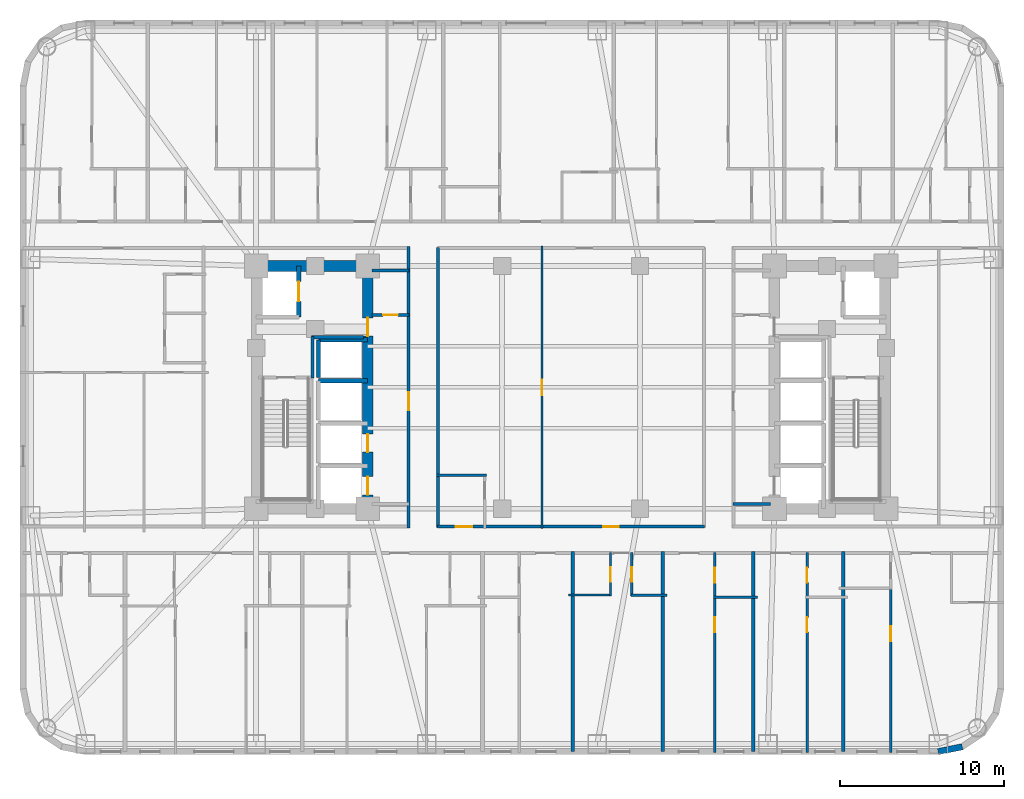
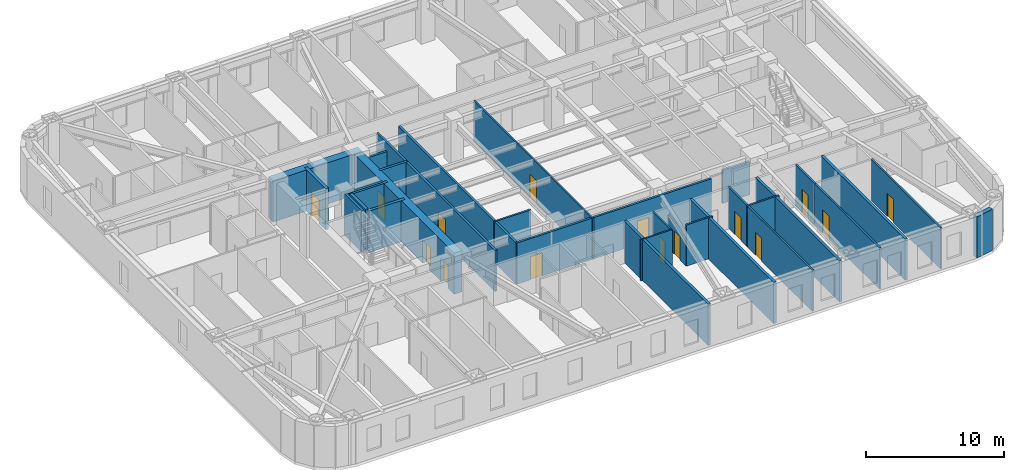
# One storey, part 5 of 11: 31 walls, 16 doors, 16 openings.
"""IFC4 building model written with IfcOpenShell, lengths in metres."""

from ifc_helpers import new_model, si_unit, direction, frame, frame_2d, origin, place, context, subcontext, project, spatial, rectangle, extrude, material, layer, layer_set, type_object, element, fill, save


model = new_model("IFC4")

# Units and contexts
model_context = context("Model", 3, precision=1e-05, world=origin(), true_north=direction((0.0, 1.0)))
body_context = subcontext(model_context, "Body", "Model", "MODEL_VIEW")
ifc_project = project(units=[si_unit("LENGTHUNIT", "METRE"), si_unit("AREAUNIT", "SQUARE_METRE"), si_unit("VOLUMEUNIT", "CUBIC_METRE"), si_unit("PLANEANGLEUNIT", "RADIAN"), si_unit("MASSUNIT", "GRAM", prefix="KILO")], contexts=[model_context])

# Site, building, storey
site_placement = place(None, origin())
site = spatial("IfcSite", under=ifc_project, at=site_placement, CompositionType="ELEMENT")
building_placement = place(site_placement, origin())
building = spatial("IfcBuilding", under=site, at=building_placement, Name="Voryun Gate Residences", CompositionType="ELEMENT")
storey_placement = place(building_placement, frame((0.0, 0.0, 45.5)))
storey = spatial("IfcBuildingStorey", under=building, at=storey_placement, Name="L10", CompositionType="ELEMENT", Elevation=45.5)

# Wall
ifc_material_1 = material(Name="Concrete C60/75", Category="concrete")
ifc_layer_1 = layer(ifc_material_1, 0.64990234375, Name="CW_CORE_650")
ifc_layer_set_1 = layer_set([ifc_layer_1], Name="Concrete C60/75")
wall_type_1 = type_object("IfcWallType", Name="CW_CORE_650", PredefinedType="SHEAR", material=ifc_layer_set_1)
wall_1_placement = place(storey_placement, frame((-19.52490234375, 7.39990234375, 0.0), z_axis=(0.0, 0.0, 1.0), x_axis=(1.0, 0.0, 0.0)))
element("IfcWall", 1, at=wall_1_placement, inside=storey, type_object=wall_type_1, Name="L10 Core shear wall CW-L10-WN", PredefinedType="SHEAR", context=body_context, shape_type="SweptSolid", body=[
    extrude(rectangle(XDim=7.449951171875, YDim=0.64990234375, at=frame_2d((3.72509765625, 0.0))), origin(), (0.0, 0.0, 1.0), 3.64990234375),
])

# Wall, openings, doors
wall_2_placement = place(storey_placement, frame((-12.39990234375, -7.39990234375, 0.0), z_axis=(0.0, 0.0, 1.0), x_axis=(0.0, 1.0, 0.0)))
wall_2 = element("IfcWall", 2, at=wall_2_placement, inside=storey, type_object=wall_type_1, Name="L10 Core shear wall CW-L10-WE", PredefinedType="SHEAR", context=body_context, shape_type="SweptSolid", body=[
    extrude(rectangle(XDim=14.7998046875, YDim=0.64990234375, at=frame_2d((7.39990234375, 0.0))), origin(), (0.0, 0.0, 1.0), 3.64990234375),
])
opening_1_placement = place(wall_2_placement, frame((0.85009765625, 0.0, 0.0)))
opening_1 = element("IfcOpeningElement", 3, at=opening_1_placement, cuts=wall_2, Name="Opening LD2", PredefinedType="OPENING", context=body_context, shape_type="SweptSolid", body=[
    extrude(rectangle(XDim=1.10009765625, YDim=2.050048828125, at=frame_2d((0.550048828125, 1.02490234375))), frame((0.0, 0.3349609375, 0.0), z_axis=(0.0, -1.0, 0.0), x_axis=(1.0, 0.0, 0.0)), (0.0, 0.0, 1.0), 0.669921875),
])
opening_2_placement = place(wall_2_placement, frame((3.449951171875, 0.0, 0.0)))
opening_2 = element("IfcOpeningElement", 4, at=opening_2_placement, cuts=wall_2, Name="Opening LD2", PredefinedType="OPENING", context=body_context, shape_type="SweptSolid", body=[
    extrude(rectangle(XDim=1.10009765625, YDim=2.050048828125, at=frame_2d((0.550048828125, 1.02490234375))), frame((0.0, 0.3349609375, 0.0), z_axis=(0.0, -1.0, 0.0), x_axis=(1.0, 0.0, 0.0)), (0.0, 0.0, 1.0), 0.669921875),
])
opening_3_placement = place(wall_2_placement, frame((10.530029296875, 0.0, 0.0)))
opening_3 = element("IfcOpeningElement", 5, at=opening_3_placement, cuts=wall_2, Name="Opening D-FD60-2", PredefinedType="OPENING", context=body_context, shape_type="SweptSolid", body=[
    extrude(rectangle(XDim=1.10009765625, YDim=2.050048828125, at=frame_2d((0.550048828125, 1.02490234375))), frame((0.0, 0.3349609375, 0.0), z_axis=(0.0, -1.0, 0.0), x_axis=(1.0, 0.0, 0.0)), (0.0, 0.0, 1.0), 0.669921875),
])
ifc_material_2 = material(Name="Painted steel fire door", Category="steel")
door_type_1 = type_object("IfcDoorType", Name="DR_FD60_FFLOB_1100", OperationType="NOTDEFINED", PredefinedType="DOOR", material=ifc_material_2)
door_1_placement = place(opening_3_placement, origin())
door_1 = element("IfcDoor", 6, at=door_1_placement, inside=storey, type_object=door_type_1, Name="Door DR-L10-CLOB-W", OperationType="SINGLE_SWING_LEFT", OverallHeight=2.050048828125, OverallWidth=1.10009765625, PredefinedType="DOOR", context=body_context, shape_type="SweptSolid", body=[
    extrude(rectangle(XDim=1.10009765625, YDim=2.050048828125, at=frame_2d((0.550048828125, 1.02490234375))), frame((0.0, 0.02490234375, 0.0), z_axis=(0.0, -1.0, 0.0), x_axis=(1.0, 0.0, 0.0)), (0.0, 0.0, 1.0), 0.050048828125),
])
fill(opening_3, door_1)
ifc_material_3 = material(Name="Anodised aluminium", Category="aluminium")
door_type_2 = type_object("IfcDoorType", Name="DR_LD_PASS_1100", OperationType="NOTDEFINED", PredefinedType="DOOR", material=ifc_material_3)
door_2_placement = place(opening_1_placement, origin())
door_2 = element("IfcDoor", 7, at=door_2_placement, inside=storey, type_object=door_type_2, Name="Lift EL-P1 sliding landing door L10", OperationType="SLIDING_TO_LEFT", OverallHeight=2.050048828125, OverallWidth=1.10009765625, PredefinedType="DOOR", context=body_context, shape_type="SweptSolid", body=[
    extrude(rectangle(XDim=1.10009765625, YDim=2.050048828125, at=frame_2d((0.550048828125, 1.02490234375))), frame((0.0, 0.02490234375, 0.0), z_axis=(0.0, -1.0, 0.0), x_axis=(1.0, 0.0, 0.0)), (0.0, 0.0, 1.0), 0.050048828125),
])
fill(opening_1, door_2)
door_3_placement = place(opening_2_placement, origin())
door_3 = element("IfcDoor", 8, at=door_3_placement, inside=storey, type_object=door_type_2, Name="Lift EL-P2 sliding landing door L10", OperationType="SLIDING_TO_LEFT", OverallHeight=2.050048828125, OverallWidth=1.10009765625, PredefinedType="DOOR", context=body_context, shape_type="SweptSolid", body=[
    extrude(rectangle(XDim=1.10009765625, YDim=2.050048828125, at=frame_2d((0.550048828125, 1.02490234375))), frame((0.0, 0.02490234375, 0.0), z_axis=(0.0, -1.0, 0.0), x_axis=(1.0, 0.0, 0.0)), (0.0, 0.0, 1.0), 0.050048828125),
])
fill(opening_2, door_3)

# Walls
ifc_material_4 = material(Name="Gypsum acoustic fireboard")
ifc_layer_2 = layer(ifc_material_4, 0.179931640625, Name="W_CORR_RATED_180")
ifc_layer_set_2 = layer_set([ifc_layer_2], Name="Gypsum acoustic fireboard")
wall_type_2 = type_object("IfcWallType", Name="W_CORR_RATED_180", PredefinedType="PARTITIONING", material=ifc_layer_set_2)
for number, where, z_axis, x_axis, name in (
    (9, (-12.14990234375, 7.1201171875, 0.0), (0.0, 0.0, 1.0), (1.0, 0.0, 0.0), "Partition wall WP-L10-PLBN-W"),
    (10, (9.8798828125, -7.1201171875, 0.0), (0.0, 0.0, 1.0), (1.0, 0.0, 0.0), "Partition wall WP-L10-PLBS-E"),
):
    element("IfcWall", number, at=place(storey_placement, frame(where, z_axis=z_axis, x_axis=x_axis)), inside=storey, type_object=wall_type_2, Name=name, PredefinedType="PARTITIONING", context=body_context, shape_type="SweptSolid", body=[
        extrude(rectangle(XDim=2.27001953125, YDim=0.179931640625, at=frame_2d((1.135009765625, 0.0))), origin(), (0.0, 0.0, 1.0), 2.93994140625),
    ])

# Wall, opening, door
wall_3_placement = place(storey_placement, frame((-9.89990234375, -8.580078125, 0.0), z_axis=(0.0, 0.0, 1.0), x_axis=(0.0, 1.0, 0.0)))
wall_3 = element("IfcWall", 11, at=wall_3_placement, inside=storey, type_object=wall_type_2, Name="Partition wall WP-L10-PLBW-FULL", PredefinedType="PARTITIONING", context=body_context, shape_type="SweptSolid", body=[
    extrude(rectangle(XDim=17.16015625, YDim=0.179931640625, at=frame_2d((8.580078125, 0.0))), origin(), (0.0, 0.0, 1.0), 3.64990234375),
])
opening_4_placement = place(wall_3_placement, frame((7.172119140625, 0.0, 0.0)))
opening_4 = element("IfcOpeningElement", 12, at=opening_4_placement, cuts=wall_3, Name="Opening D-FD60-2", PredefinedType="OPENING", context=body_context, shape_type="SweptSolid", body=[
    extrude(rectangle(XDim=1.10009765625, YDim=2.050048828125, at=frame_2d((0.550048828125, 1.02490234375))), frame((0.0, 0.099853515625, 0.0), z_axis=(0.0, -1.0, 0.0), x_axis=(1.0, 0.0, 0.0)), (0.0, 0.0, 1.0), 0.199951171875),
])
door_4_placement = place(opening_4_placement, origin())
door_4 = element("IfcDoor", 13, at=door_4_placement, inside=storey, type_object=door_type_1, Name="Door DR-L10-PLBW-COR", OperationType="SINGLE_SWING_LEFT", OverallHeight=2.050048828125, OverallWidth=1.10009765625, PredefinedType="DOOR", context=body_context, shape_type="SweptSolid", body=[
    extrude(rectangle(XDim=1.10009765625, YDim=2.050048828125, at=frame_2d((0.550048828125, 1.02490234375))), frame((0.0, 0.02490234375, 0.0), z_axis=(0.0, -1.0, 0.0), x_axis=(1.0, 0.0, 0.0)), (0.0, 0.0, 1.0), 0.050048828125),
])
fill(opening_4, door_4)

# Wall, openings, doors
wall_4_placement = place(storey_placement, frame((-8.14990234375, -8.489990234375, 0.0), z_axis=(0.0, 0.0, 1.0), x_axis=(1.0, 0.0, 0.0)))
wall_4 = element("IfcWall", 14, at=wall_4_placement, inside=storey, type_object=wall_type_2, Name="Partition wall WP-L10-Z1S", PredefinedType="PARTITIONING", context=body_context, shape_type="SweptSolid", body=[
    extrude(rectangle(XDim=16.2998046875, YDim=0.179931640625, at=frame_2d((8.14990234375, 0.0))), origin(), (0.0, 0.0, 1.0), 3.64990234375),
])
opening_5_placement = place(wall_4_placement, frame((1.1298828125, 0.0, 0.0)))
opening_5 = element("IfcOpeningElement", 15, at=opening_5_placement, cuts=wall_4, Name="Opening D-AWC-1", PredefinedType="OPENING", context=body_context, shape_type="SweptSolid", body=[
    extrude(rectangle(XDim=1.0, YDim=2.050048828125, at=frame_2d((0.5, 1.02490234375))), frame((0.0, 0.099853515625, 0.0), z_axis=(0.0, -1.0, 0.0), x_axis=(1.0, 0.0, 0.0)), (0.0, 0.0, 1.0), 0.199951171875),
])
opening_6_placement = place(wall_4_placement, frame((10.1201171875, 0.0, 0.0)))
opening_6 = element("IfcOpeningElement", 16, at=opening_6_placement, cuts=wall_4, Name="Opening D-INT-1", PredefinedType="OPENING", context=body_context, shape_type="SweptSolid", body=[
    extrude(rectangle(XDim=0.949951171875, YDim=2.050048828125, at=frame_2d((0.47509765625, 1.02490234375))), frame((0.0, 0.099853515625, 0.0), z_axis=(0.0, -1.0, 0.0), x_axis=(1.0, 0.0, 0.0)), (0.0, 0.0, 1.0), 0.199951171875),
])
ifc_material_5 = material(Name="Architectural oak veneer")
door_type_3 = type_object("IfcDoorType", Name="DR_ACC_WC_1000", OperationType="NOTDEFINED", PredefinedType="DOOR", material=ifc_material_5)
door_5_placement = place(opening_5_placement, origin())
door_5 = element("IfcDoor", 17, at=door_5_placement, inside=storey, type_object=door_type_3, Name="Door DR-L10-CMWC-D", OperationType="SINGLE_SWING_LEFT", OverallHeight=2.050048828125, OverallWidth=1.0, PredefinedType="DOOR", context=body_context, shape_type="SweptSolid", body=[
    extrude(rectangle(XDim=1.0, YDim=2.050048828125, at=frame_2d((0.5, 1.02490234375))), frame((0.0, 0.02490234375, 0.0), z_axis=(0.0, -1.0, 0.0), x_axis=(1.0, 0.0, 0.0)), (0.0, 0.0, 1.0), 0.050048828125),
])
fill(opening_5, door_5)
ifc_material_6 = material(Name="Architectural oak veneer")
door_type_4 = type_object("IfcDoorType", Name="DR_INT_ROOM_950", OperationType="NOTDEFINED", PredefinedType="DOOR", material=ifc_material_6)
door_6_placement = place(opening_6_placement, origin())
door_6 = element("IfcDoor", 18, at=door_6_placement, inside=storey, type_object=door_type_4, Name="Door DR-L10-CMIDZ1S", OperationType="SINGLE_SWING_RIGHT", OverallHeight=2.050048828125, OverallWidth=0.949951171875, PredefinedType="DOOR", context=body_context, shape_type="SweptSolid", body=[
    extrude(rectangle(XDim=0.949951171875, YDim=2.050048828125, at=frame_2d((0.47509765625, 1.02490234375))), frame((0.0, 0.02490234375, 0.0), z_axis=(0.0, -1.0, 0.0), x_axis=(1.0, 0.0, 0.0)), (0.0, 0.0, 1.0), 0.050048828125),
])
fill(opening_6, door_6)

# Walls
wall_5_placement = place(storey_placement, frame((-8.10009765625, -8.530029296875, 0.0), z_axis=(0.0, 0.0, 1.0), x_axis=(0.0, 1.0, 0.0)))
element("IfcWall", 19, at=wall_5_placement, inside=storey, type_object=wall_type_2, Name="Partition wall WP-L10-Z1W", PredefinedType="PARTITIONING", context=body_context, shape_type="SweptSolid", body=[
    extrude(rectangle(XDim=17.06005859375, YDim=0.179931640625, at=frame_2d((8.530029296875, 0.0))), origin(), (0.0, 0.0, 1.0), 3.64990234375),
])
ifc_material_7 = material(Name="Granite masonry", Category="masonry")
ifc_layer_3 = layer(ifc_material_7, 0.3798828125, Name="W_EXT_GRANITE_380")
ifc_layer_set_3 = layer_set([ifc_layer_3], Name="Granite masonry")
wall_type_3 = type_object("IfcWallType", Name="W_EXT_GRANITE_380", PredefinedType="ELEMENTEDWALL", material=ifc_layer_set_3)
wall_6_placement = place(storey_placement, frame((23.856689453125, -21.91650390625, 0.0), z_axis=(0.0, 0.0, 1.0), x_axis=(-0.980786132421, -0.195086038585, 0.0)))
element("IfcWall", 20, at=wall_6_placement, inside=storey, type_object=wall_type_3, Name="Exterior wall WEXT-L10-20", PredefinedType="ELEMENTEDWALL", context=body_context, shape_type="SweptSolid", body=[
    extrude(rectangle(XDim=1.504150390625, YDim=0.3798828125, at=frame_2d((0.751953125, 0.0))), origin(), (0.0, 0.0, 1.0), 3.64990234375),
])
ifc_material_8 = material(Name="Concrete C40/50", Category="concrete")
ifc_layer_4 = layer(ifc_material_8, 0.199951171875, Name="W_FF_LOBBY_200")
ifc_layer_set_4 = layer_set([ifc_layer_4], Name="Concrete C40/50")
wall_type_4 = type_object("IfcWallType", Name="W_FF_LOBBY_200", PredefinedType="PARTITIONING", material=ifc_layer_set_4)
wall_7_placement = place(storey_placement, frame((-15.760009765625, 0.580078125, 0.0), z_axis=(0.0, 0.0, 1.0), x_axis=(0.0, 1.0, 0.0)))
element("IfcWall", 21, at=wall_7_placement, inside=storey, type_object=wall_type_4, Name="Partition wall WP-L10-FFP0-W", PredefinedType="PARTITIONING", context=body_context, shape_type="SweptSolid", body=[
    extrude(rectangle(XDim=2.52001953125, YDim=0.199951171875, at=frame_2d((1.260009765625, 0.0))), origin(), (0.0, 0.0, 1.0), 3.64990234375),
])
wall_8_placement = place(storey_placement, frame((-15.820068359375, 3.06005859375, 0.0), z_axis=(0.0, 0.0, 1.0), x_axis=(1.0, 0.0, 0.0)))
element("IfcWall", 22, at=wall_8_placement, inside=storey, type_object=wall_type_4, Name="Partition wall WP-L10-FFPS-W", PredefinedType="PARTITIONING", context=body_context, shape_type="SweptSolid", body=[
    extrude(rectangle(XDim=3.16015625, YDim=0.199951171875, at=frame_2d((1.580078125, 0.0))), origin(), (0.0, 0.0, 1.0), 3.64990234375),
])

# Wall, opening, door
wall_9_placement = place(storey_placement, frame((-12.14990234375, 4.409912109375, 0.0), z_axis=(0.0, 0.0, 1.0), x_axis=(1.0, 0.0, 0.0)))
wall_9 = element("IfcWall", 23, at=wall_9_placement, inside=storey, type_object=wall_type_4, Name="Partition wall WP-L10-CSFLKS-W", PredefinedType="PARTITIONING", context=body_context, shape_type="SweptSolid", body=[
    extrude(rectangle(XDim=2.27001953125, YDim=0.199951171875, at=frame_2d((1.135009765625, 0.0))), origin(), (0.0, 0.0, 1.0), 3.64990234375),
])
opening_7_placement = place(wall_9_placement, frame((0.68505859375, 0.0, 0.0)))
opening_7 = element("IfcOpeningElement", 24, at=opening_7_placement, cuts=wall_9, Name="Opening D-FD60-4", PredefinedType="OPENING", context=body_context, shape_type="SweptSolid", body=[
    extrude(rectangle(XDim=0.89990234375, YDim=2.050048828125, at=frame_2d((0.449951171875, 1.02490234375))), frame((0.0, 0.110107421875, 0.0), z_axis=(0.0, -1.0, 0.0), x_axis=(1.0, 0.0, 0.0)), (0.0, 0.0, 1.0), 0.219970703125),
])
ifc_material_9 = material(Name="Painted steel fire door", Category="steel")
door_type_5 = type_object("IfcDoorType", Name="DR_FD60_RISER_900", OperationType="NOTDEFINED", PredefinedType="DOOR", material=ifc_material_9)
door_7_placement = place(opening_7_placement, origin())
door_7 = element("IfcDoor", 25, at=door_7_placement, inside=storey, type_object=door_type_5, Name="Door DR-L10-CSFLK-W", OperationType="SINGLE_SWING_LEFT", OverallHeight=2.050048828125, OverallWidth=0.89990234375, PredefinedType="DOOR", context=body_context, shape_type="SweptSolid", body=[
    extrude(rectangle(XDim=0.89990234375, YDim=2.050048828125, at=frame_2d((0.449951171875, 1.02490234375))), frame((0.0, 0.02490234375, 0.0), z_axis=(0.0, -1.0, 0.0), x_axis=(1.0, 0.0, 0.0)), (0.0, 0.0, 1.0), 0.050048828125),
])
fill(opening_7, door_7)

# Walls
ifc_material_10 = material(Name="Concrete C40/50", Category="concrete")
ifc_layer_5 = layer(ifc_material_10, 0.219970703125, Name="W_PARTY_ACOUSTIC_220")
ifc_layer_set_5 = layer_set([ifc_layer_5], Name="Concrete C40/50")
wall_type_5 = type_object("IfcWallType", Name="W_PARTY_ACOUSTIC_220", PredefinedType="PARTITIONING", material=ifc_layer_set_5)
for number, where, z_axis, x_axis, name in (
    (26, (0.10009765625, -22.2099609375, 0.0), (0.0, 0.0, 1.0), (0.0, 1.0, 0.0), "Partition wall WP-L10-SPTY-4"),
    (27, (5.60009765625, -22.2099609375, 0.0), (0.0, 0.0, 1.0), (0.0, 1.0, 0.0), "Partition wall WP-L10-SPTY-5"),
    (28, (11.10009765625, -22.2099609375, 0.0), (0.0, 0.0, 1.0), (0.0, 1.0, 0.0), "Partition wall WP-L10-SPTY-6"),
    (29, (16.60009765625, -22.2099609375, 0.0), (0.0, 0.0, 1.0), (0.0, 1.0, 0.0), "Partition wall WP-L10-SPTY-7"),
):
    element("IfcWall", number, at=place(storey_placement, frame(where, z_axis=z_axis, x_axis=x_axis)), inside=storey, type_object=wall_type_5, Name=name, PredefinedType="PARTITIONING", context=body_context, shape_type="SweptSolid", body=[
        extrude(rectangle(XDim=12.18994140625, YDim=0.219970703125, at=frame_2d((6.094970703125, 0.0))), origin(), (0.0, 0.0, 1.0), 3.64990234375),
    ])

# Wall, opening, door
ifc_material_11 = material(Name="Concrete C50/60", Category="concrete")
ifc_layer_6 = layer(ifc_material_11, 0.25, Name="W_SHAFT_RC250")
ifc_layer_set_6 = layer_set([ifc_layer_6], Name="Concrete C50/60")
wall_type_6 = type_object("IfcWallType", Name="W_SHAFT_RC250", PredefinedType="SOLIDWALL", material=ifc_layer_set_6)
wall_10_placement = place(storey_placement, frame((-16.60009765625, 4.300048828125, 0.0), z_axis=(0.0, 0.0, 1.0), x_axis=(0.0, 1.0, 0.0)))
wall_10 = element("IfcWall", 30, at=wall_10_placement, inside=storey, type_object=wall_type_6, Name="Lift shaft wall WSH-L10-EL-FF-W1-E", PredefinedType="SOLIDWALL", context=body_context, shape_type="SweptSolid", body=[
    extrude(rectangle(XDim=3.099853515625, YDim=0.25, at=frame_2d((1.5498046875, 0.0))), origin(), (0.0, 0.0, 1.0), 3.64990234375),
])
opening_8_placement = place(wall_10_placement, frame((0.949951171875, 0.0, 0.0)))
opening_8 = element("IfcOpeningElement", 31, at=opening_8_placement, cuts=wall_10, Name="Opening LD1", PredefinedType="OPENING", context=body_context, shape_type="SweptSolid", body=[
    extrude(rectangle(XDim=1.199951171875, YDim=2.050048828125, at=frame_2d((0.60009765625, 1.02490234375))), frame((0.0, 0.135009765625, 0.0), z_axis=(0.0, -1.0, 0.0), x_axis=(1.0, 0.0, 0.0)), (0.0, 0.0, 1.0), 0.27001953125),
])
ifc_material_12 = material(Name="Anodised aluminium", Category="aluminium")
door_type_6 = type_object("IfcDoorType", Name="DR_LD_FF_1200", OperationType="NOTDEFINED", PredefinedType="DOOR", material=ifc_material_12)
door_8_placement = place(opening_8_placement, origin())
door_8 = element("IfcDoor", 32, at=door_8_placement, inside=storey, type_object=door_type_6, Name="Lift EL-FF-W1 sliding landing door L10", OperationType="SLIDING_TO_LEFT", OverallHeight=2.050048828125, OverallWidth=1.199951171875, PredefinedType="DOOR", context=body_context, shape_type="SweptSolid", body=[
    extrude(rectangle(XDim=1.199951171875, YDim=2.050048828125, at=frame_2d((0.60009765625, 1.02490234375))), frame((0.0, 0.02490234375, 0.0), z_axis=(0.0, -1.0, 0.0), x_axis=(1.0, 0.0, 0.0)), (0.0, 0.0, 1.0), 0.050048828125),
])
fill(opening_8, door_8)

# Walls
for number, where, z_axis, x_axis, name in (
    (33, (-12.39990234375, 0.39990234375, 0.0), (0.0, 0.0, 1.0), (-1.0, 0.0, 0.0), "Lift shaft wall WSH-L10-EL-P4-N"),
    (34, (-12.39990234375, 2.89990234375, 0.0), (0.0, 0.0, 1.0), (-1.0, 0.0, 0.0), "Lift shaft wall WSH-L10-EL-P7-N"),
):
    element("IfcWall", number, at=place(storey_placement, frame(where, z_axis=z_axis, x_axis=x_axis)), inside=storey, type_object=wall_type_6, Name=name, PredefinedType="SOLIDWALL", context=body_context, shape_type="SweptSolid", body=[
        extrude(rectangle(XDim=3.0, YDim=0.25, at=frame_2d((1.5, 0.0))), origin(), (0.0, 0.0, 1.0), 3.64990234375),
    ])
wall_11_placement = place(storey_placement, frame((-15.39990234375, 2.89990234375, 0.0), z_axis=(0.0, 0.0, 1.0), x_axis=(0.0, -1.0, 0.0)))
element("IfcWall", 35, at=wall_11_placement, inside=storey, type_object=wall_type_6, Name="Lift shaft wall WSH-L10-EL-P7-W", PredefinedType="SOLIDWALL", context=body_context, shape_type="SweptSolid", body=[
    extrude(rectangle(XDim=2.2998046875, YDim=0.25, at=frame_2d((1.14990234375, 0.0))), origin(), (0.0, 0.0, 1.0), 3.64990234375),
])

# Wall, opening, door
ifc_material_13 = material(Name="Gypsum acoustic partition")
ifc_layer_7 = layer(ifc_material_13, 0.125, Name="W_UNIT_PART_125")
ifc_layer_set_7 = layer_set([ifc_layer_7], Name="Gypsum acoustic partition")
wall_type_7 = type_object("IfcWallType", Name="W_UNIT_PART_125", PredefinedType="PARTITIONING", material=ifc_layer_set_7)
wall_12_placement = place(storey_placement, frame((-1.77294921875, -8.6201171875, 0.0), z_axis=(0.0, 0.0, 1.0), x_axis=(0.0, 1.0, 0.0)))
wall_12 = element("IfcWall", 36, at=wall_12_placement, inside=storey, type_object=wall_type_7, Name="Partition wall WP-L10-MIDX-0", PredefinedType="PARTITIONING", context=body_context, shape_type="SweptSolid", body=[
    extrude(rectangle(XDim=17.240234375, YDim=0.125, at=frame_2d((8.6201171875, 0.0))), origin(), (0.0, 0.0, 1.0), 3.64990234375),
])
opening_9_placement = place(wall_12_placement, frame((8.14501953125, 0.0, 0.0)))
opening_9 = element("IfcOpeningElement", 37, at=opening_9_placement, cuts=wall_12, Name="Opening D-INT-1", PredefinedType="OPENING", context=body_context, shape_type="SweptSolid", body=[
    extrude(rectangle(XDim=0.949951171875, YDim=2.050048828125, at=frame_2d((0.47509765625, 1.02490234375))), frame((0.0, 0.072509765625, 0.0), z_axis=(0.0, -1.0, 0.0), x_axis=(1.0, 0.0, 0.0)), (0.0, 0.0, 1.0), 0.14501953125),
])
door_9_placement = place(opening_9_placement, origin())
door_9 = element("IfcDoor", 38, at=door_9_placement, inside=storey, type_object=door_type_4, Name="Door DR-L10-MIDX-0", OperationType="SINGLE_SWING_LEFT", OverallHeight=2.050048828125, OverallWidth=0.949951171875, PredefinedType="DOOR", context=body_context, shape_type="SweptSolid", body=[
    extrude(rectangle(XDim=0.949951171875, YDim=2.050048828125, at=frame_2d((0.47509765625, 1.02490234375))), frame((0.0, 0.02490234375, 0.0), z_axis=(0.0, -1.0, 0.0), x_axis=(1.0, 0.0, 0.0)), (0.0, 0.0, 1.0), 0.050048828125),
])
fill(opening_9, door_9)

wall_13_placement = place(storey_placement, frame((2.409912109375, -12.72998046875, 0.0), z_axis=(0.0, 0.0, 1.0), x_axis=(0.0, 1.0, 0.0)))
wall_13 = element("IfcWall", 39, at=wall_13_placement, inside=storey, type_object=wall_type_7, Name="Partition wall WP-L10-S5-CVK", PredefinedType="PARTITIONING", context=body_context, shape_type="SweptSolid", body=[
    extrude(rectangle(XDim=2.64990234375, YDim=0.125, at=frame_2d((1.324951171875, 0.0))), origin(), (0.0, 0.0, 1.0), 3.64990234375),
])
opening_10_placement = place(wall_13_placement, frame((0.875, 0.0, 0.0)))
opening_10 = element("IfcOpeningElement", 40, at=opening_10_placement, cuts=wall_13, Name="Opening D-INT-2", PredefinedType="OPENING", context=body_context, shape_type="SweptSolid", body=[
    extrude(rectangle(XDim=0.89990234375, YDim=2.050048828125, at=frame_2d((0.449951171875, 1.02490234375))), frame((0.0, 0.072509765625, 0.0), z_axis=(0.0, -1.0, 0.0), x_axis=(1.0, 0.0, 0.0)), (0.0, 0.0, 1.0), 0.14501953125),
])
ifc_material_14 = material(Name="Architectural oak veneer")
door_type_7 = type_object("IfcDoorType", Name="DR_INT_BATH_900", OperationType="NOTDEFINED", PredefinedType="DOOR", material=ifc_material_14)
door_10_placement = place(opening_10_placement, origin())
door_10 = element("IfcDoor", 41, at=door_10_placement, inside=storey, type_object=door_type_7, Name="Door DR-L10-S5-DK", OperationType="SINGLE_SWING_LEFT", OverallHeight=2.050048828125, OverallWidth=0.89990234375, PredefinedType="DOOR", context=body_context, shape_type="SweptSolid", body=[
    extrude(rectangle(XDim=0.89990234375, YDim=2.050048828125, at=frame_2d((0.449951171875, 1.02490234375))), frame((0.0, 0.02490234375, 0.0), z_axis=(0.0, -1.0, 0.0), x_axis=(1.0, 0.0, 0.0)), (0.0, 0.0, 1.0), 0.050048828125),
])
fill(opening_10, door_10)

# Walls
wall_14_placement = place(storey_placement, frame((-0.159912109375, -12.669921875, 0.0), z_axis=(0.0, 0.0, 1.0), x_axis=(1.0, 0.0, 0.0)))
element("IfcWall", 42, at=wall_14_placement, inside=storey, type_object=wall_type_7, Name="Partition wall WP-L10-S5-CHK", PredefinedType="PARTITIONING", context=body_context, shape_type="SweptSolid", body=[
    extrude(rectangle(XDim=2.6298828125, YDim=0.125, at=frame_2d((1.31494140625, 0.0))), origin(), (0.0, 0.0, 1.0), 3.64990234375),
])
ifc_material_15 = material(Name="Gypsum moisture-resistant partition")
ifc_layer_8 = layer(ifc_material_15, 0.14990234375, Name="W_WET_PLUMB_150")
ifc_layer_set_8 = layer_set([ifc_layer_8], Name="Gypsum moisture-resistant partition")
wall_type_8 = type_object("IfcWallType", Name="W_WET_PLUMB_150", PredefinedType="PLUMBINGWALL", material=ifc_layer_set_8)
wall_15_placement = place(storey_placement, frame((-8.2099609375, -5.3701171875, 0.0), z_axis=(0.0, 0.0, 1.0), x_axis=(1.0, 0.0, 0.0)))
element("IfcWall", 43, at=wall_15_placement, inside=storey, type_object=wall_type_8, Name="Partition wall WP-L10-CMWCY", PredefinedType="PLUMBINGWALL", context=body_context, shape_type="SweptSolid", body=[
    extrude(rectangle(XDim=3.050048828125, YDim=0.14990234375, at=frame_2d((1.52490234375, 0.0))), origin(), (0.0, 0.0, 1.0), 3.64990234375),
])

# Wall, opening, door
wall_16_placement = place(storey_placement, frame((3.7109375, -12.72998046875, 0.0), z_axis=(0.0, 0.0, 1.0), x_axis=(0.0, 1.0, 0.0)))
wall_16 = element("IfcWall", 44, at=wall_16_placement, inside=storey, type_object=wall_type_8, Name="Partition wall WP-L10-S5-CVB", PredefinedType="PLUMBINGWALL", context=body_context, shape_type="SweptSolid", body=[
    extrude(rectangle(XDim=2.64990234375, YDim=0.14990234375, at=frame_2d((1.324951171875, 0.0))), origin(), (0.0, 0.0, 1.0), 2.93994140625),
])
opening_11_placement = place(wall_16_placement, frame((0.875, 0.0, 0.0)))
opening_11 = element("IfcOpeningElement", 45, at=opening_11_placement, cuts=wall_16, Name="Opening D-INT-2", PredefinedType="OPENING", context=body_context, shape_type="SweptSolid", body=[
    extrude(rectangle(XDim=0.89990234375, YDim=2.050048828125, at=frame_2d((0.449951171875, 1.02490234375))), frame((0.0, 0.0849609375, 0.0), z_axis=(0.0, -1.0, 0.0), x_axis=(1.0, 0.0, 0.0)), (0.0, 0.0, 1.0), 0.169921875),
])
door_11_placement = place(opening_11_placement, origin())
door_11 = element("IfcDoor", 46, at=door_11_placement, inside=storey, type_object=door_type_7, Name="Door DR-L10-S5-DB", OperationType="SINGLE_SWING_RIGHT", OverallHeight=2.050048828125, OverallWidth=0.89990234375, PredefinedType="DOOR", context=body_context, shape_type="SweptSolid", body=[
    extrude(rectangle(XDim=0.89990234375, YDim=2.050048828125, at=frame_2d((0.449951171875, 1.02490234375))), frame((0.0, 0.02490234375, 0.0), z_axis=(0.0, -1.0, 0.0), x_axis=(1.0, 0.0, 0.0)), (0.0, 0.0, 1.0), 0.050048828125),
])
fill(opening_11, door_11)

# Walls
wall_17_placement = place(storey_placement, frame((3.65087890625, -12.669921875, 0.0), z_axis=(0.0, 0.0, 1.0), x_axis=(1.0, 0.0, 0.0)))
element("IfcWall", 47, at=wall_17_placement, inside=storey, type_object=wall_type_8, Name="Partition wall WP-L10-S5-CHB", PredefinedType="PLUMBINGWALL", context=body_context, shape_type="SweptSolid", body=[
    extrude(rectangle(XDim=2.209228515625, YDim=0.14990234375, at=frame_2d((1.1044921875, 0.0))), origin(), (0.0, 0.0, 1.0), 3.64990234375),
])
wall_18_placement = place(storey_placement, frame((8.678955078125, -12.800048828125, 0.0), z_axis=(0.0, 0.0, 1.0), x_axis=(1.0, 0.0, 0.0)))
element("IfcWall", 48, at=wall_18_placement, inside=storey, type_object=wall_type_8, Name="Partition wall WP-L10-S6-SKB", PredefinedType="PLUMBINGWALL", context=body_context, shape_type="SweptSolid", body=[
    extrude(rectangle(XDim=2.68115234375, YDim=0.14990234375, at=frame_2d((1.340576171875, 0.0))), origin(), (0.0, 0.0, 1.0), 3.64990234375),
])

# Wall, opening, door
wall_19_placement = place(storey_placement, frame((8.759033203125, -22.257568359375, 0.0), z_axis=(0.0, 0.0, 1.0), x_axis=(0.0, 1.0, 0.0)))
wall_19 = element("IfcWall", 49, at=wall_19_placement, inside=storey, type_object=wall_type_8, Name="Partition wall WP-L10-S6-SVT1", PredefinedType="PLUMBINGWALL", context=body_context, shape_type="SweptSolid", body=[
    extrude(rectangle(XDim=9.49755859375, YDim=0.14990234375, at=frame_2d((4.748779296875, 0.0))), origin(), (0.0, 0.0, 1.0), 3.64990234375),
])
opening_12_placement = place(wall_19_placement, frame((7.337890625, 0.0, 0.0)))
opening_12 = element("IfcOpeningElement", 50, at=opening_12_placement, cuts=wall_19, Name="Opening D-INT-2", PredefinedType="OPENING", context=body_context, shape_type="SweptSolid", body=[
    extrude(rectangle(XDim=0.89990234375, YDim=2.050048828125, at=frame_2d((0.449951171875, 1.02490234375))), frame((0.0, 0.0849609375, 0.0), z_axis=(0.0, -1.0, 0.0), x_axis=(1.0, 0.0, 0.0)), (0.0, 0.0, 1.0), 0.169921875),
])
door_12_placement = place(opening_12_placement, origin())
door_12 = element("IfcDoor", 51, at=door_12_placement, inside=storey, type_object=door_type_7, Name="Door DR-L10-S6-DK", OperationType="SINGLE_SWING_LEFT", OverallHeight=2.050048828125, OverallWidth=0.89990234375, PredefinedType="DOOR", context=body_context, shape_type="SweptSolid", body=[
    extrude(rectangle(XDim=0.89990234375, YDim=2.050048828125, at=frame_2d((0.449951171875, 1.02490234375))), frame((0.0, 0.02490234375, 0.0), z_axis=(0.0, -1.0, 0.0), x_axis=(1.0, 0.0, 0.0)), (0.0, 0.0, 1.0), 0.050048828125),
])
fill(opening_12, door_12)

wall_20_placement = place(storey_placement, frame((8.759033203125, -12.840087890625, 0.0), z_axis=(0.0, 0.0, 1.0), x_axis=(0.0, 1.0, 0.0)))
wall_20 = element("IfcWall", 52, at=wall_20_placement, inside=storey, type_object=wall_type_8, Name="Partition wall WP-L10-S6-SVT2", PredefinedType="PLUMBINGWALL", context=body_context, shape_type="SweptSolid", body=[
    extrude(rectangle(XDim=2.760009765625, YDim=0.14990234375, at=frame_2d((1.3798828125, 0.0))), origin(), (0.0, 0.0, 1.0), 3.64990234375),
])
opening_13_placement = place(wall_20_placement, frame((0.929931640625, 0.0, 0.0)))
opening_13 = element("IfcOpeningElement", 53, at=opening_13_placement, cuts=wall_20, Name="Opening D-INT-2", PredefinedType="OPENING", context=body_context, shape_type="SweptSolid", body=[
    extrude(rectangle(XDim=0.89990234375, YDim=2.050048828125, at=frame_2d((0.449951171875, 1.02490234375))), frame((0.0, 0.0849609375, 0.0), z_axis=(0.0, -1.0, 0.0), x_axis=(1.0, 0.0, 0.0)), (0.0, 0.0, 1.0), 0.169921875),
])
door_13_placement = place(opening_13_placement, origin())
door_13 = element("IfcDoor", 54, at=door_13_placement, inside=storey, type_object=door_type_7, Name="Door DR-L10-S6-DB", OperationType="SINGLE_SWING_RIGHT", OverallHeight=2.050048828125, OverallWidth=0.89990234375, PredefinedType="DOOR", context=body_context, shape_type="SweptSolid", body=[
    extrude(rectangle(XDim=0.89990234375, YDim=2.050048828125, at=frame_2d((0.449951171875, 1.02490234375))), frame((0.0, 0.02490234375, 0.0), z_axis=(0.0, -1.0, 0.0), x_axis=(1.0, 0.0, 0.0)), (0.0, 0.0, 1.0), 0.050048828125),
])
fill(opening_13, door_13)

wall_21_placement = place(storey_placement, frame((14.389892578125, -22.257568359375, 0.0), z_axis=(0.0, 0.0, 1.0), x_axis=(0.0, 1.0, 0.0)))
wall_21 = element("IfcWall", 55, at=wall_21_placement, inside=storey, type_object=wall_type_8, Name="Partition wall WP-L10-S7-SVT1", PredefinedType="PLUMBINGWALL", context=body_context, shape_type="SweptSolid", body=[
    extrude(rectangle(XDim=9.49755859375, YDim=0.14990234375, at=frame_2d((4.748779296875, 0.0))), origin(), (0.0, 0.0, 1.0), 3.64990234375),
])
opening_14_placement = place(wall_21_placement, frame((7.337890625, 0.0, 0.0)))
opening_14 = element("IfcOpeningElement", 56, at=opening_14_placement, cuts=wall_21, Name="Opening D-INT-2", PredefinedType="OPENING", context=body_context, shape_type="SweptSolid", body=[
    extrude(rectangle(XDim=0.89990234375, YDim=2.050048828125, at=frame_2d((0.449951171875, 1.02490234375))), frame((0.0, 0.0849609375, 0.0), z_axis=(0.0, -1.0, 0.0), x_axis=(1.0, 0.0, 0.0)), (0.0, 0.0, 1.0), 0.169921875),
])
door_14_placement = place(opening_14_placement, origin())
door_14 = element("IfcDoor", 57, at=door_14_placement, inside=storey, type_object=door_type_7, Name="Door DR-L10-S7-DK", OperationType="SINGLE_SWING_LEFT", OverallHeight=2.050048828125, OverallWidth=0.89990234375, PredefinedType="DOOR", context=body_context, shape_type="SweptSolid", body=[
    extrude(rectangle(XDim=0.89990234375, YDim=2.050048828125, at=frame_2d((0.449951171875, 1.02490234375))), frame((0.0, 0.02490234375, 0.0), z_axis=(0.0, -1.0, 0.0), x_axis=(1.0, 0.0, 0.0)), (0.0, 0.0, 1.0), 0.050048828125),
])
fill(opening_14, door_14)

wall_22_placement = place(storey_placement, frame((14.389892578125, -12.840087890625, 0.0), z_axis=(0.0, 0.0, 1.0), x_axis=(0.0, 1.0, 0.0)))
wall_22 = element("IfcWall", 58, at=wall_22_placement, inside=storey, type_object=wall_type_8, Name="Partition wall WP-L10-S7-SVT2", PredefinedType="PLUMBINGWALL", context=body_context, shape_type="SweptSolid", body=[
    extrude(rectangle(XDim=2.760009765625, YDim=0.14990234375, at=frame_2d((1.3798828125, 0.0))), origin(), (0.0, 0.0, 1.0), 3.64990234375),
])
opening_15_placement = place(wall_22_placement, frame((0.929931640625, 0.0, 0.0)))
opening_15 = element("IfcOpeningElement", 59, at=opening_15_placement, cuts=wall_22, Name="Opening D-INT-2", PredefinedType="OPENING", context=body_context, shape_type="SweptSolid", body=[
    extrude(rectangle(XDim=0.89990234375, YDim=2.050048828125, at=frame_2d((0.449951171875, 1.02490234375))), frame((0.0, 0.0849609375, 0.0), z_axis=(0.0, -1.0, 0.0), x_axis=(1.0, 0.0, 0.0)), (0.0, 0.0, 1.0), 0.169921875),
])
door_15_placement = place(opening_15_placement, origin())
door_15 = element("IfcDoor", 60, at=door_15_placement, inside=storey, type_object=door_type_7, Name="Door DR-L10-S7-DB", OperationType="SINGLE_SWING_RIGHT", OverallHeight=2.050048828125, OverallWidth=0.89990234375, PredefinedType="DOOR", context=body_context, shape_type="SweptSolid", body=[
    extrude(rectangle(XDim=0.89990234375, YDim=2.050048828125, at=frame_2d((0.449951171875, 1.02490234375))), frame((0.0, 0.02490234375, 0.0), z_axis=(0.0, -1.0, 0.0), x_axis=(1.0, 0.0, 0.0)), (0.0, 0.0, 1.0), 0.050048828125),
])
fill(opening_15, door_15)

wall_23_placement = place(storey_placement, frame((19.489013671875, -22.257568359375, 0.0), z_axis=(0.0, 0.0, 1.0), x_axis=(0.0, 1.0, 0.0)))
wall_23 = element("IfcWall", 61, at=wall_23_placement, inside=storey, type_object=wall_type_8, Name="Partition wall WP-L10-S8-LVX1", PredefinedType="PLUMBINGWALL", context=body_context, shape_type="SweptSolid", body=[
    extrude(rectangle(XDim=10.0576171875, YDim=0.14990234375, at=frame_2d((5.02880859375, 0.0))), origin(), (0.0, 0.0, 1.0), 3.64990234375),
])
opening_16_placement = place(wall_23_placement, frame((6.79150390625, 0.0, 0.0)))
opening_16 = element("IfcOpeningElement", 62, at=opening_16_placement, cuts=wall_23, Name="Opening D-INT-2", PredefinedType="OPENING", context=body_context, shape_type="SweptSolid", body=[
    extrude(rectangle(XDim=0.89990234375, YDim=2.050048828125, at=frame_2d((0.449951171875, 1.02490234375))), frame((0.0, 0.0849609375, 0.0), z_axis=(0.0, -1.0, 0.0), x_axis=(1.0, 0.0, 0.0)), (0.0, 0.0, 1.0), 0.169921875),
])
door_16_placement = place(opening_16_placement, origin())
door_16 = element("IfcDoor", 63, at=door_16_placement, inside=storey, type_object=door_type_7, Name="Door DR-L10-S8-DMB", OperationType="SINGLE_SWING_LEFT", OverallHeight=2.050048828125, OverallWidth=0.89990234375, PredefinedType="DOOR", context=body_context, shape_type="SweptSolid", body=[
    extrude(rectangle(XDim=0.89990234375, YDim=2.050048828125, at=frame_2d((0.449951171875, 1.02490234375))), frame((0.0, 0.02490234375, 0.0), z_axis=(0.0, -1.0, 0.0), x_axis=(1.0, 0.0, 0.0)), (0.0, 0.0, 1.0), 0.050048828125),
])
fill(opening_16, door_16)

save(model, "model.ifc")
